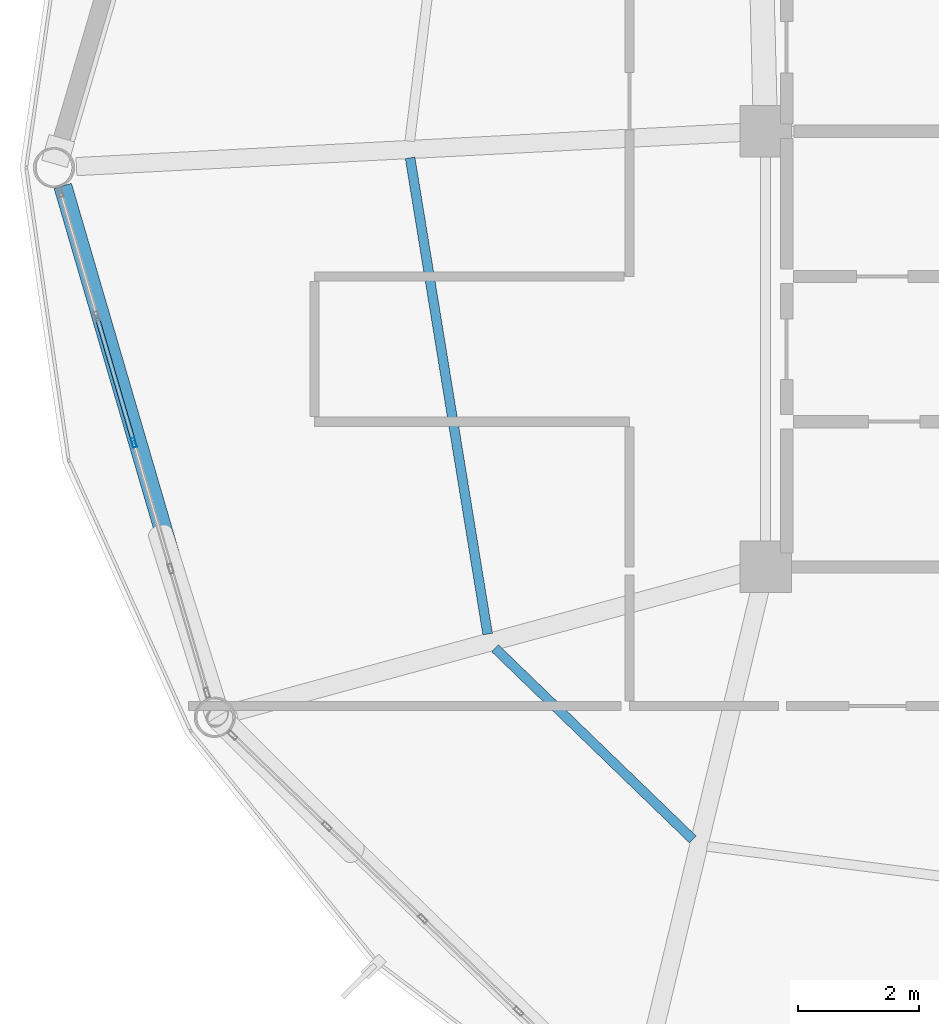
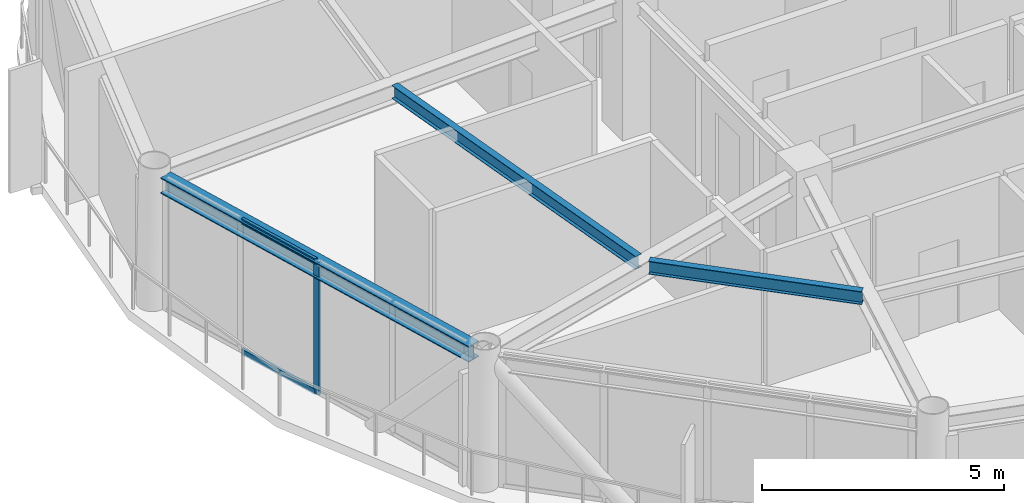
# One storey, part 5 of 26: 3 beams, 3 members, 1 element without a shape of its own.
"""IFC4 building model written with IfcOpenShell, lengths in metres."""

from ifc_helpers import new_model, si_unit, direction, frame, origin, origin_2d, place, context, subcontext, project, spatial, hollow_rectangle, i_section, extrude, material, layer, layer_set, material_profile, profile_set, type_object, element, aggregate, save


model = new_model("IFC4")

# Units and contexts
model_context = context("Model", 3, precision=1e-05, world=origin(), true_north=direction((0.0, 1.0)))
body_context = subcontext(model_context, "Body", "Model", "MODEL_VIEW")
ifc_project = project(units=[si_unit("LENGTHUNIT", "METRE"), si_unit("AREAUNIT", "SQUARE_METRE"), si_unit("VOLUMEUNIT", "CUBIC_METRE"), si_unit("PLANEANGLEUNIT", "RADIAN"), si_unit("MASSUNIT", "GRAM", prefix="KILO")], contexts=[model_context])

# Site, building, storey
site_placement = place(None, origin())
site = spatial("IfcSite", under=ifc_project, at=site_placement, CompositionType="ELEMENT")
building_placement = place(site_placement, origin())
building = spatial("IfcBuilding", under=site, at=building_placement, Name="Varnakorn Sky Granary", CompositionType="ELEMENT")
storey_placement = place(building_placement, frame((0.0, 0.0, 222.0)))
storey = spatial("IfcBuildingStorey", under=building, at=storey_placement, Name="L56", CompositionType="ELEMENT", Elevation=222.0)

# Beams
ifc_material_1 = material(Name="Steel S355JR", Category="steel")
ifc_material_profile_1 = material_profile(ifc_material_1, i_section(OverallWidth=0.159912109375, OverallDepth=0.330078125, WebThickness=0.007568359375, FlangeThickness=0.011474609375, at=origin_2d()), Name="IPE 330")
ifc_profile_set_1 = profile_set([ifc_material_profile_1], Name="Steel S355JR")
beam_type_1 = type_object("IfcBeamType", Name="BM-SEC-Z4", PredefinedType="BEAM", material=ifc_profile_set_1)
beam_1_placement = place(storey_placement, frame((-8.223388671875, 0.159423828125, 3.195068359375), z_axis=(0.160717924557, -0.987000379294, 0.0), x_axis=(0.987000379294, 0.160717924557, 0.0)))
element("IfcBeam", 1, at=beam_1_placement, inside=storey, type_object=beam_type_1, Name="Secondary Floor Chord Beam MSB07 L56", PredefinedType="BEAM", context=body_context, shape_type="SweptSolid", body=[
    extrude(i_section(OverallWidth=0.159912109375, OverallDepth=0.330078125, WebThickness=0.007568359375, FlangeThickness=0.011474609375, at=origin_2d()), origin(), (0.0, 0.0, 1.0), 7.971923828125),
])
beam_2_placement = place(storey_placement, frame((-6.819091796875, -7.9443359375, 3.195068359375), z_axis=(0.718963310288, -0.695048026009, 0.0), x_axis=(0.695048026009, 0.718963310288, 0.0)))
element("IfcBeam", 2, at=beam_2_placement, inside=storey, type_object=beam_type_1, Name="Secondary Floor Chord Beam MSB08 L56", PredefinedType="BEAM", context=body_context, shape_type="SweptSolid", body=[
    extrude(i_section(OverallWidth=0.159912109375, OverallDepth=0.330078125, WebThickness=0.007568359375, FlangeThickness=0.011474609375, at=origin_2d()), origin(), (0.0, 0.0, 1.0), 4.542724609375),
])
ifc_material_profile_2 = material_profile(ifc_material_1, i_section(OverallWidth=0.300048828125, OverallDepth=0.39990234375, WebThickness=0.013427734375, FlangeThickness=0.02392578125, at=origin_2d()), Name="HE 400 B")
ifc_profile_set_2 = profile_set([ifc_material_profile_2], Name="Steel S355JR")
beam_type_2 = type_object("IfcBeamType", Name="BM-SPD-Z4", PredefinedType="SPANDREL", material=ifc_profile_set_2)
beam_3_placement = place(storey_placement, frame((-13.963623046875, -0.302490234375, 3.159912109375), z_axis=(0.280368843743, -0.959892343681, 0.0), x_axis=(0.959892343681, 0.280368843743, 0.0)))
element("IfcBeam", 3, at=beam_3_placement, inside=storey, type_object=beam_type_2, Name="Perimeter Spandrel Ring Beam RB07 L56", PredefinedType="SPANDREL", context=body_context, shape_type="SweptSolid", body=[
    extrude(i_section(OverallWidth=0.300048828125, OverallDepth=0.39990234375, WebThickness=0.013427734375, FlangeThickness=0.02392578125, at=origin_2d()), origin(), (0.0, 0.0, 1.0), 8.8193359375),
])

# Curtain wall, members
ifc_material_2 = material(Name="Anodised Bronze Aluminium Alloy 6063-T6", Category="aluminium")
ifc_layer = layer(ifc_material_2, 0.169921875, Name="Anodised Bronze Aluminium Alloy 6063-T6")
ifc_layer_set = layer_set([ifc_layer], Name="Anodised Bronze Aluminium Alloy 6063-T6")
curtain_wall_type = type_object("IfcCurtainWallType", Name="CW-LAB-1", PredefinedType="USERDEFINED", material=ifc_layer_set)
curtain_wall_placement = place(storey_placement, origin())
curtain_wall = element("IfcCurtainWall", 4, at=curtain_wall_placement, inside=storey, type_object=curtain_wall_type, Name="Unitised Curtain Wall CW5 CW-L56-B07", ObjectType="CURTAIN WALL", PredefinedType="USERDEFINED")
ifc_material_profile_3 = material_profile(ifc_material_2, hollow_rectangle(XDim=0.06494140625, YDim=0.159912109375, WallThickness=0.00341796875, at=origin_2d()), Name="ALU MULL 65x160")
ifc_profile_set_3 = profile_set([ifc_material_profile_3], Name="Anodised Bronze Aluminium Alloy 6063-T6")
member_type_1 = type_object("IfcMemberType", Name="CW-LAB-1-MULL", PredefinedType="MULLION", material=ifc_profile_set_3)
member_1_placement = place(storey_placement, frame((-12.789794921875, -4.543701171875, 0.0), z_axis=(0.0, 0.0, 1.0), x_axis=(-0.959779398669, -0.280755241964, 0.0)))
member_1 = element("IfcMember", 5, at=member_1_placement, type_object=member_type_1, Name="CW5 mullion 3", PredefinedType="MULLION", context=body_context, shape_type="SweptSolid", body=[
    extrude(hollow_rectangle(XDim=0.06494140625, YDim=0.159912109375, WallThickness=0.00341796875, at=origin_2d()), origin(), (0.0, 0.0, 1.0), 3.360107421875),
])
ifc_material_profile_4 = material_profile(ifc_material_2, hollow_rectangle(XDim=0.070068359375, YDim=0.139892578125, WallThickness=0.00341796875, at=origin_2d()), Name="ALU TRAN 70x140")
ifc_profile_set_4 = profile_set([ifc_material_profile_4], Name="Anodised Bronze Aluminium Alloy 6063-T6")
member_type_2 = type_object("IfcMemberType", Name="CW-LAB-1-TRAN", PredefinedType="USERDEFINED", material=ifc_profile_set_4)
member_2_placement = place(storey_placement, frame((-12.799072265625, -4.512451171875, 0.034912109375), z_axis=(-0.280760781886, 0.959777778111, 0.0), x_axis=(-0.959777778111, -0.280760781886, 0.0)))
member_2 = element("IfcMember", 6, at=member_2_placement, type_object=member_type_2, Name="CW5 transom 3.1", ObjectType="TRANSOM", PredefinedType="USERDEFINED", context=body_context, shape_type="SweptSolid", body=[
    extrude(hollow_rectangle(XDim=0.070068359375, YDim=0.139892578125, WallThickness=0.00341796875, at=origin_2d()), origin(), (0.0, 0.0, 1.0), 2.10693359375),
])
member_3_placement = place(storey_placement, frame((-12.799072265625, -4.512451171875, 3.324951171875), z_axis=(-0.280760781886, 0.959777778111, 0.0), x_axis=(-0.959777778111, -0.280760781886, 0.0)))
member_3 = element("IfcMember", 7, at=member_3_placement, type_object=member_type_2, Name="CW5 transom 3.2", ObjectType="TRANSOM", PredefinedType="USERDEFINED", context=body_context, shape_type="SweptSolid", body=[
    extrude(hollow_rectangle(XDim=0.070068359375, YDim=0.139892578125, WallThickness=0.00341796875, at=origin_2d()), origin(), (0.0, 0.0, 1.0), 2.10693359375),
])
aggregate(curtain_wall, [member_1, member_2, member_3])

save(model, "model.ifc")
